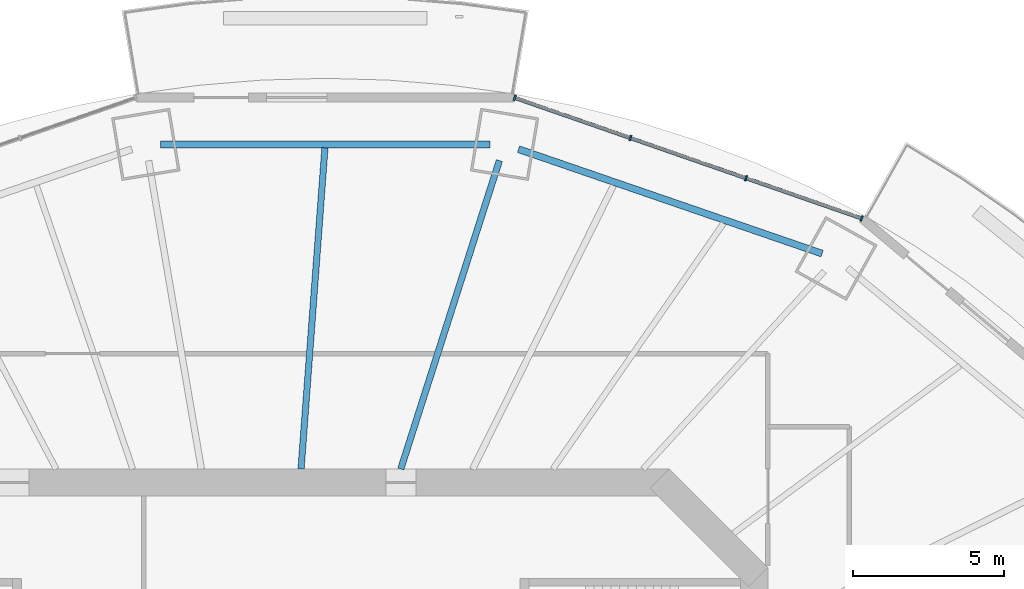
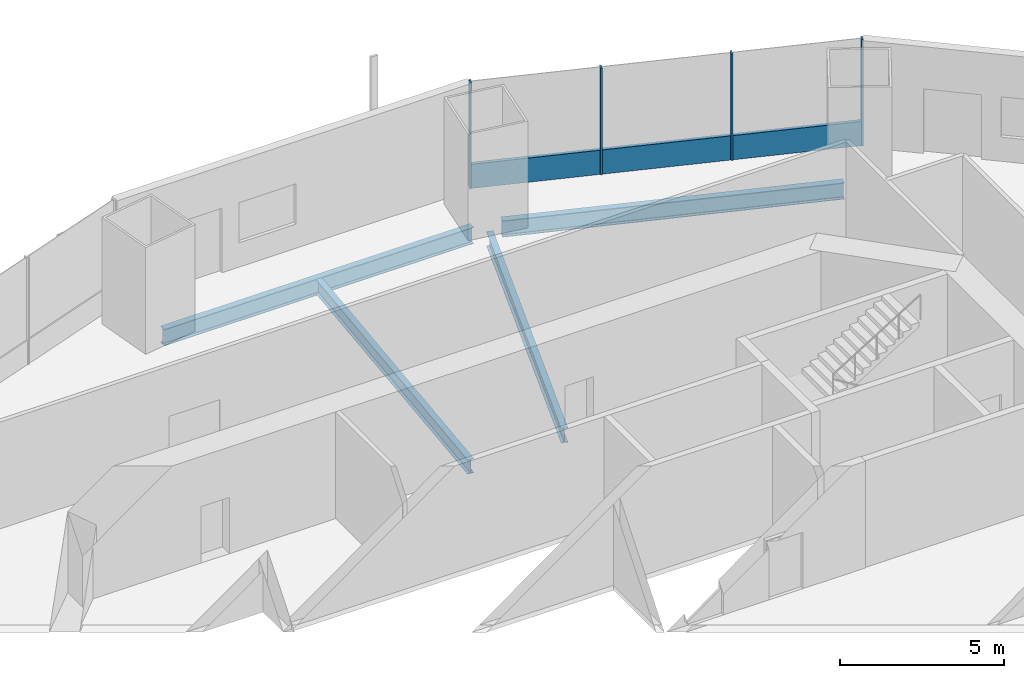
# One storey, part 8 of 20: 5 members, 4 beams, 1 element without a shape of its own.
"""IFC4 building model written with IfcOpenShell, lengths in metres."""

from ifc_helpers import new_model, si_unit, direction, frame, origin, origin_2d, place, context, subcontext, project, spatial, rectangle, i_section, extrude, material, material_profile, profile_set, type_object, element, aggregate, save


model = new_model("IFC4")

# Units and contexts
model_context = context("Model", 3, precision=1e-05, world=origin(), true_north=direction((0.0, 1.0)))
body_context = subcontext(model_context, "Body", "Model", "MODEL_VIEW")
ifc_project = project(units=[si_unit("LENGTHUNIT", "METRE"), si_unit("AREAUNIT", "SQUARE_METRE"), si_unit("VOLUMEUNIT", "CUBIC_METRE"), si_unit("PLANEANGLEUNIT", "RADIAN"), si_unit("MASSUNIT", "GRAM", prefix="KILO")], contexts=[model_context])

# Site, building, storey
site_placement = place(None, origin())
site = spatial("IfcSite", under=ifc_project, at=site_placement, CompositionType="ELEMENT")
building_placement = place(site_placement, origin())
building = spatial("IfcBuilding", under=site, at=building_placement, Name="Marenthal Gate Tower", CompositionType="ELEMENT")
storey_placement = place(building_placement, frame((0.0, 0.0, 190.10009765625)))
storey = spatial("IfcBuildingStorey", under=building, at=storey_placement, Name="L41", CompositionType="ELEMENT", Elevation=190.10009765625)

# Curtain wall, members
ifc_material_1 = material(Name="Aluminium and glass", Category="aluminium")
curtain_wall_type = type_object("IfcCurtainWallType", Name="Curtain wall typical mid", PredefinedType="NOTDEFINED", material=ifc_material_1)
curtain_wall_placement = place(storey_placement, origin())
curtain_wall = element("IfcCurtainWall", 1, at=curtain_wall_placement, inside=storey, type_object=curtain_wall_type, Name="Curtain wall L41 bay 3", PredefinedType="NOTDEFINED")
ifc_material_2 = material(Name="Aluminium", Category="aluminium")
ifc_material_profile_1 = material_profile(ifc_material_2, rectangle(XDim=0.179931640625, YDim=0.06005859375, at=origin_2d()), Name="60x180 aluminium mullion")
ifc_profile_set_1 = profile_set([ifc_material_profile_1], Name="Aluminium")
member_type_1 = type_object("IfcMemberType", Name="Mullion 60x180 typical mid", PredefinedType="MULLION", material=ifc_profile_set_1)
member_1_placement = place(storey_placement, frame((19.558349609375, 21.743896484375, 0.0), z_axis=(0.0, 0.0, 1.0), x_axis=(-0.328273001535, -0.944582890203, 0.0)))
member_1 = element("IfcMember", 2, at=member_1_placement, type_object=member_type_1, Name="Mullion L41 bay 3.1", PredefinedType="MULLION", context=body_context, shape_type="SweptSolid", body=[
    extrude(rectangle(XDim=0.179931640625, YDim=0.06005859375, at=origin_2d()), origin(), (0.0, 0.0, 1.0), 3.969970703125),
])
member_2_placement = place(storey_placement, frame((15.730224609375, 23.07421875, 0.0), z_axis=(0.0, 0.0, 1.0), x_axis=(-0.328273001535, -0.944582890203, 0.0)))
member_2 = element("IfcMember", 3, at=member_2_placement, type_object=member_type_1, Name="Mullion L41 bay 3.2", PredefinedType="MULLION", context=body_context, shape_type="SweptSolid", body=[
    extrude(rectangle(XDim=0.179931640625, YDim=0.06005859375, at=origin_2d()), origin(), (0.0, 0.0, 1.0), 3.969970703125),
])
member_3_placement = place(storey_placement, frame((11.902099609375, 24.40478515625, 0.0), z_axis=(0.0, 0.0, 1.0), x_axis=(-0.328273001535, -0.944582890203, 0.0)))
member_3 = element("IfcMember", 4, at=member_3_placement, type_object=member_type_1, Name="Mullion L41 bay 3.3", PredefinedType="MULLION", context=body_context, shape_type="SweptSolid", body=[
    extrude(rectangle(XDim=0.179931640625, YDim=0.06005859375, at=origin_2d()), origin(), (0.0, 0.0, 1.0), 3.969970703125),
])
member_4_placement = place(storey_placement, frame((8.07421875, 25.735107421875, 0.0), z_axis=(0.0, 0.0, 1.0), x_axis=(-0.328273001535, -0.944582890203, 0.0)))
member_4 = element("IfcMember", 5, at=member_4_placement, type_object=member_type_1, Name="Mullion L41 bay 3.4", PredefinedType="MULLION", context=body_context, shape_type="SweptSolid", body=[
    extrude(rectangle(XDim=0.179931640625, YDim=0.06005859375, at=origin_2d()), origin(), (0.0, 0.0, 1.0), 3.969970703125),
])
ifc_material_3 = material(Name="Aluminium", Category="aluminium")
ifc_material_profile_2 = material_profile(ifc_material_3, rectangle(XDim=0.1201171875, YDim=0.89990234375, at=origin_2d()), Name="120x900 aluminium transom")
ifc_profile_set_2 = profile_set([ifc_material_profile_2], Name="Aluminium")
member_type_2 = type_object("IfcMemberType", Name="Transom 120x900 typical mid", PredefinedType="USERDEFINED", material=ifc_profile_set_2)
member_5_placement = place(storey_placement, frame((19.530029296875, 21.75390625, 0.449951171875), z_axis=(-0.944588780023, 0.328256053493, 0.0), x_axis=(-0.328256053493, -0.944588780023, 0.0)))
member_5 = element("IfcMember", 6, at=member_5_placement, type_object=member_type_2, Name="Transom L41 bay 3", ObjectType="TRANSOM", PredefinedType="USERDEFINED", context=body_context, shape_type="SweptSolid", body=[
    extrude(rectangle(XDim=0.1201171875, YDim=0.89990234375, at=origin_2d()), origin(), (0.0, 0.0, 1.0), 12.097900390625),
])
aggregate(curtain_wall, [member_1, member_2, member_3, member_4, member_5])

# Beams
ifc_material_4 = material(Name="Steel S355", Category="steel")
ifc_material_profile_3 = material_profile(ifc_material_4, i_section(OverallWidth=0.2099609375, OverallDepth=0.535888671875, WebThickness=0.010986328125, FlangeThickness=0.017333984375, FilletRadius=0.0126953125, at=origin_2d()), Name="W530X101")
ifc_profile_set_3 = profile_set([ifc_material_profile_3], Name="Steel S355")
beam_type_1 = type_object("IfcBeamType", Name="W530X101 beam", PredefinedType="BEAM", material=ifc_profile_set_3)
beam_1_placement = place(storey_placement, frame((1.79150390625, 24.080810546875, -0.447998046875), z_axis=(-0.074202369595, -0.997243204212, 0.0), x_axis=(0.997243204212, -0.074202369595, 0.0)))
element("IfcBeam", 7, at=beam_1_placement, inside=storey, type_object=beam_type_1, Name="BM-L41-22", PredefinedType="BEAM", context=body_context, shape_type="SweptSolid", body=[
    extrude(i_section(OverallWidth=0.2099609375, OverallDepth=0.535888671875, WebThickness=0.010986328125, FlangeThickness=0.017333984375, FilletRadius=0.0126953125, at=origin_2d()), origin(), (0.0, 0.0, 1.0), 10.66015625),
])
ifc_material_5 = material(Name="Steel S355", Category="steel")
ifc_material_profile_4 = material_profile(ifc_material_5, i_section(OverallWidth=0.2119140625, OverallDepth=0.5439453125, WebThickness=0.01318359375, FlangeThickness=0.021240234375, FilletRadius=0.0126953125, at=origin_2d()), Name="W530X123")
ifc_profile_set_4 = profile_set([ifc_material_profile_4], Name="Steel S355")
beam_type_2 = type_object("IfcBeamType", Name="W530X123 beam", PredefinedType="BEAM", material=ifc_profile_set_4)
beam_2_placement = place(storey_placement, frame((7.566650390625, 23.66064453125, -0.4521484375), z_axis=(-0.304603016071, -0.952479397468, 0.0), x_axis=(0.952479397468, -0.304603016071, 0.0)))
element("IfcBeam", 8, at=beam_2_placement, inside=storey, type_object=beam_type_2, Name="BM-L41-04", PredefinedType="BEAM", context=body_context, shape_type="SweptSolid", body=[
    extrude(i_section(OverallWidth=0.2119140625, OverallDepth=0.5439453125, WebThickness=0.01318359375, FlangeThickness=0.021240234375, FilletRadius=0.0126953125, at=origin_2d()), origin(), (0.0, 0.0, 1.0), 10.72021484375),
])
ifc_material_6 = material(Name="Steel S355", Category="steel")
ifc_material_profile_5 = material_profile(ifc_material_6, i_section(OverallWidth=0.22900390625, OverallDepth=0.612060546875, WebThickness=0.011962890625, FlangeThickness=0.01953125, FilletRadius=0.0126953125, at=origin_2d()), Name="W610X125")
ifc_profile_set_5 = profile_set([ifc_material_profile_5], Name="Steel S355")
beam_type_3 = type_object("IfcBeamType", Name="W610X125 beam", PredefinedType="BEAM", material=ifc_profile_set_5)
beam_3_placement = place(storey_placement, frame((18.245361328125, 20.579833984375, -0.486083984375), z_axis=(-0.945594274162, 0.325348226785, 0.0), x_axis=(-0.325348226785, -0.945594274162, 0.0)))
element("IfcBeam", 9, at=beam_3_placement, inside=storey, type_object=beam_type_3, Name="BM-L41-43", PredefinedType="BEAM", context=body_context, shape_type="SweptSolid", body=[
    extrude(i_section(OverallWidth=0.22900390625, OverallDepth=0.612060546875, WebThickness=0.011962890625, FlangeThickness=0.01953125, FilletRadius=0.0126953125, at=origin_2d()), origin(), (0.0, 0.0, 1.0), 10.623291015625),
])
beam_4_placement = place(storey_placement, frame((7.24951171875, 24.1953125, -0.486083984375), z_axis=(-1.0, 0.0, 0.0), x_axis=(0.0, -1.0, 0.0)))
element("IfcBeam", 10, at=beam_4_placement, inside=storey, type_object=beam_type_3, Name="BM-L41-44", PredefinedType="BEAM", context=body_context, shape_type="SweptSolid", body=[
    extrude(i_section(OverallWidth=0.22900390625, OverallDepth=0.612060546875, WebThickness=0.011962890625, FlangeThickness=0.01953125, FilletRadius=0.0126953125, at=origin_2d()), origin(), (0.0, 0.0, 1.0), 10.89892578125),
])

save(model, "model.ifc")
